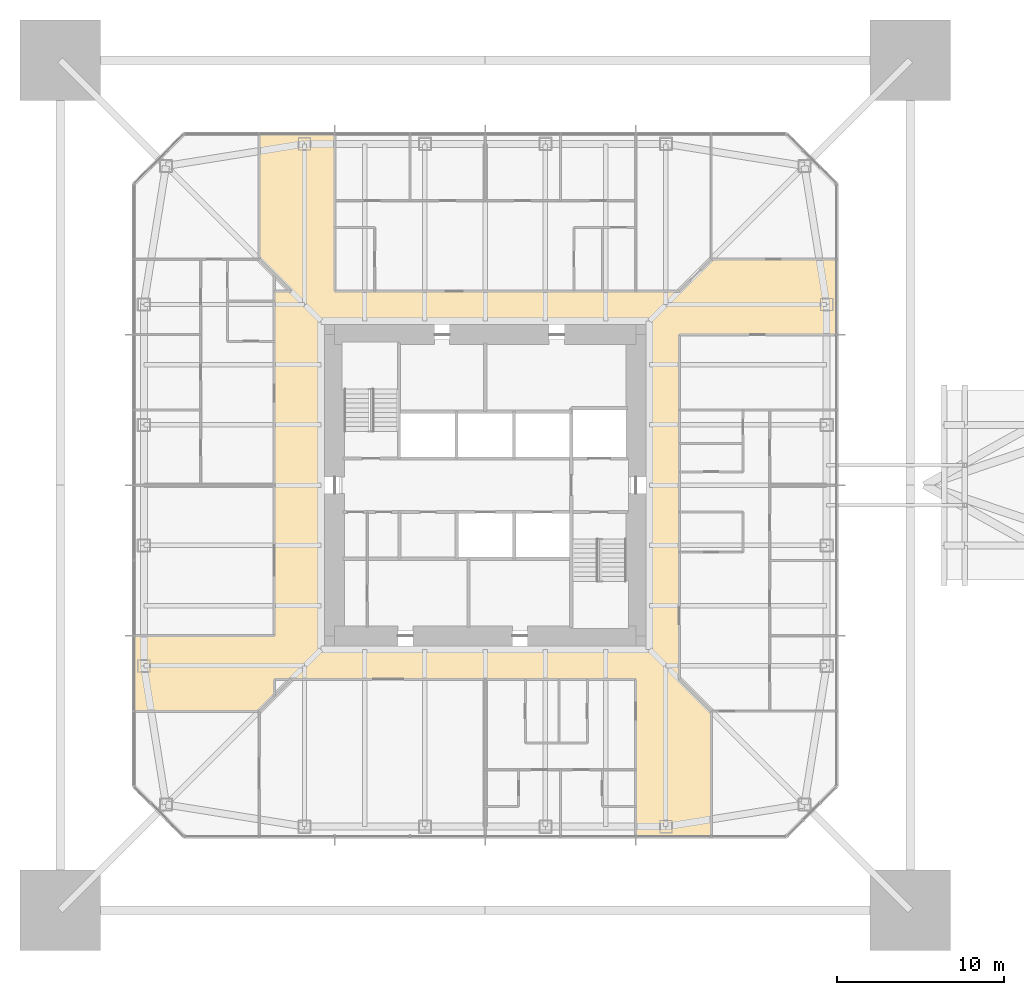
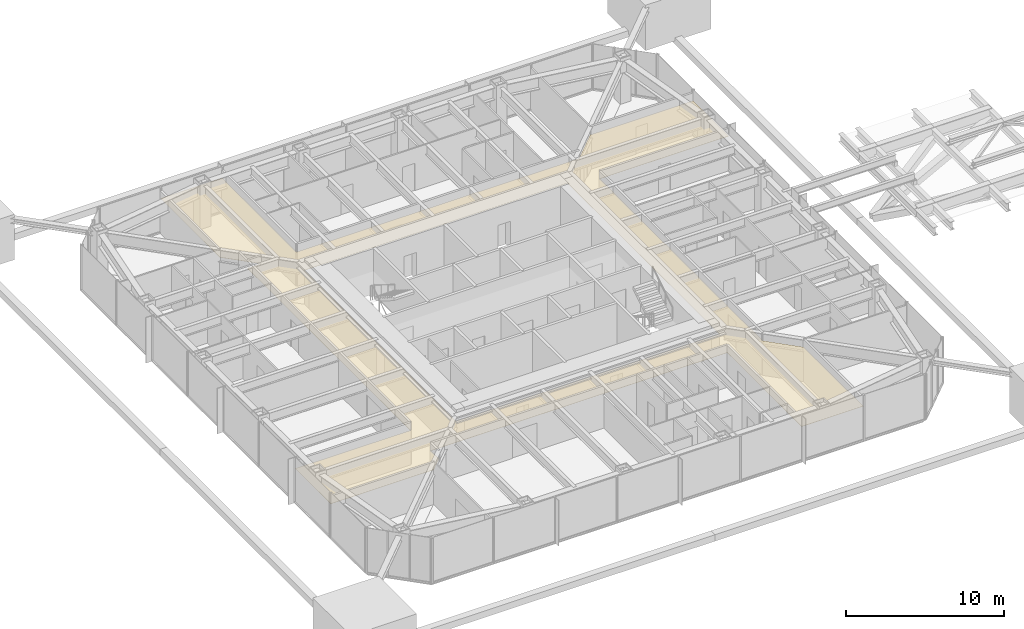
# One storey, part 23 of 26: 1 covering.
"""IFC4 building model written with IfcOpenShell, lengths in metres."""

from ifc_helpers import new_model, si_unit, direction, frame, origin, place, context, subcontext, project, spatial, polyline, outline, extrude, material, layer, layer_set, type_object, element, save


model = new_model("IFC4")

# Units and contexts
model_context = context("Model", 3, precision=1e-05, world=origin(), true_north=direction((0.0, 1.0)))
body_context = subcontext(model_context, "Body", "Model", "MODEL_VIEW")
ifc_project = project(units=[si_unit("LENGTHUNIT", "METRE"), si_unit("AREAUNIT", "SQUARE_METRE"), si_unit("VOLUMEUNIT", "CUBIC_METRE"), si_unit("PLANEANGLEUNIT", "RADIAN"), si_unit("MASSUNIT", "GRAM", prefix="KILO")], contexts=[model_context])

# Site, building, storey
site_placement = place(None, origin())
site = spatial("IfcSite", under=ifc_project, at=site_placement, CompositionType="ELEMENT")
building_placement = place(site_placement, origin())
building = spatial("IfcBuilding", under=site, at=building_placement, Name="Iwan Alto Co-Living Towers", CompositionType="ELEMENT")
storey_placement = place(building_placement, frame((0.0, 0.0, 126.0)))
storey = spatial("IfcBuildingStorey", under=building, at=storey_placement, Name="L34", CompositionType="ELEMENT", Elevation=126.0)

# Covering
ifc_material = material(Name="Gypsum plasterboard on steel grid", Category="steel")
ifc_layer = layer(ifc_material, 0.014892578125)
ifc_layer_set = layer_set([ifc_layer], Name="SUSPENDED PLASTERBOARD CEILING 15")
covering_type = type_object("IfcCoveringType", Name="SUSPENDED PLASTERBOARD CEILING 15", PredefinedType="CEILING", material=ifc_layer_set)
covering_placement = place(storey_placement, frame((0.0, 0.0, 2.60009765625)))
element("IfcCovering", 1, at=covering_placement, inside=storey, type_object=covering_type, Name="Ceiling Corridor L34", PredefinedType="CEILING", context=body_context, shape_type="SweptSolid", body=[
    extrude(outline(polyline([(13.5, -21.0), (9.0, -21.0), (9.0, -11.60009765625), (-12.60009765625, -11.60009765625), (-12.60009765625, -12.60009765625), (-13.5, -13.5), (-21.0, -13.5), (-21.0, -9.0), (-12.60009765625, -9.0), (-12.60009765625, 11.60009765625), (-11.60009765625, 11.60009765625), (-13.5, 13.5), (-13.5, 21.0), (-9.0, 21.0), (-9.0, 11.60009765625), (11.60009765625, 11.60009765625), (13.5, 13.5), (21.0, 13.5), (21.0, 9.0), (11.60009765625, 9.0), (11.60009765625, -11.60009765625), (13.5, -13.5), (13.5, -21.0)]), holes=[polyline([(9.60009765625, -9.60009765625), (9.60009765625, 9.60009765625), (-9.60009765625, 9.60009765625), (-9.60009765625, -9.60009765625), (9.60009765625, -9.60009765625)])]), origin(), (0.0, 0.0, 1.0), 0.014892578125),
])

save(model, "model.ifc")
